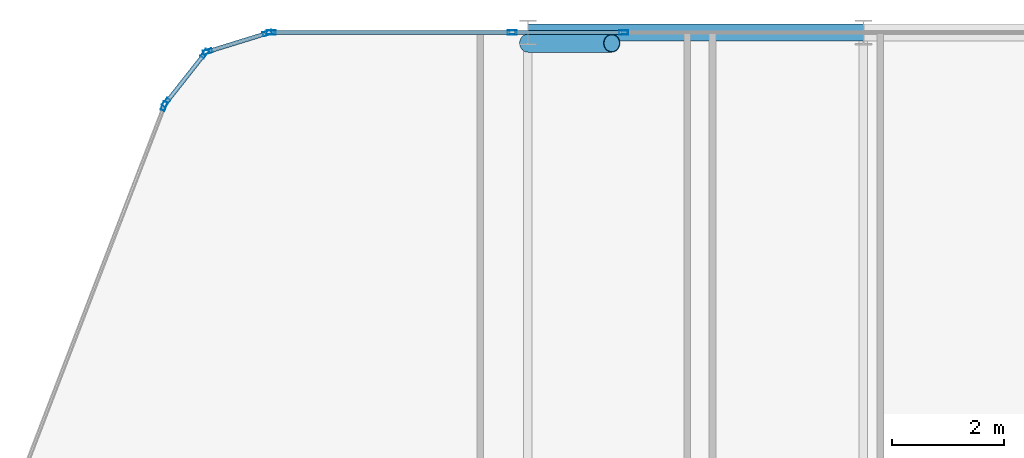
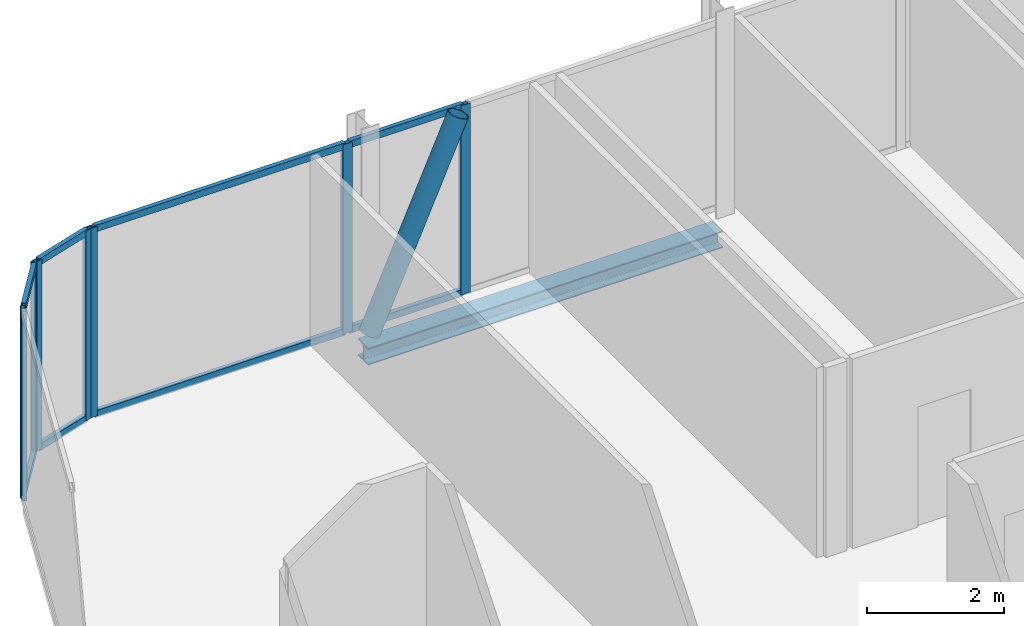
# One storey, part 18 of 29: 17 members, 1 beam, 5 elements without a shape of their own.
"""IFC4 building model written with IfcOpenShell, lengths in metres."""

from ifc_helpers import new_model, si_unit, direction, frame, origin, origin_2d, place, context, subcontext, project, spatial, hollow_rectangle, hollow_circle, i_section, extrude, material, layer, layer_set, material_profile, profile_set, type_object, element, aggregate, save


model = new_model("IFC4")

# Units and contexts
model_context = context("Model", 3, precision=1e-05, world=origin(), true_north=direction((0.0, 1.0)))
body_context = subcontext(model_context, "Body", "Model", "MODEL_VIEW")
ifc_project = project(units=[si_unit("LENGTHUNIT", "METRE"), si_unit("AREAUNIT", "SQUARE_METRE"), si_unit("VOLUMEUNIT", "CUBIC_METRE"), si_unit("PLANEANGLEUNIT", "RADIAN"), si_unit("MASSUNIT", "GRAM", prefix="KILO")], contexts=[model_context])

# Site, building, storey
site_placement = place(None, origin())
site = spatial("IfcSite", under=ifc_project, at=site_placement, CompositionType="ELEMENT")
building_placement = place(site_placement, origin())
building = spatial("IfcBuilding", under=site, at=building_placement, Name="Keshet Zoharim Tower", CompositionType="ELEMENT")
storey_placement = place(building_placement, frame((0.0, 0.0, 199.5)))
storey = spatial("IfcBuildingStorey", under=building, at=storey_placement, Name="L49", CompositionType="ELEMENT", Elevation=199.5)

# Beam
ifc_material_1 = material(Name="Steel S355", Category="steel")
ifc_material_profile_1 = material_profile(ifc_material_1, i_section(OverallWidth=0.300048828125, OverallDepth=0.300048828125, WebThickness=0.010986328125, FlangeThickness=0.01904296875, FilletRadius=0.027099609375, at=origin_2d()), Name="HEB300")
ifc_profile_set_1 = profile_set([ifc_material_profile_1], Name="Steel S355")
beam_type = type_object("IfcBeamType", Name="BM-PRI-HB300", PredefinedType="BEAM", material=ifc_profile_set_1)
beam_placement = place(storey_placement, frame((21.0, 53.89990234375, -0.4599609375), z_axis=(1.0, 0.0, 0.0), x_axis=(0.0, 1.0, 0.0)))
element("IfcBeam", 1, at=beam_placement, inside=storey, type_object=beam_type, Name="L49 Primary Girder X-019", PredefinedType="BEAM", context=body_context, shape_type="SweptSolid", body=[
    extrude(i_section(OverallWidth=0.300048828125, OverallDepth=0.300048828125, WebThickness=0.010986328125, FlangeThickness=0.01904296875, FilletRadius=0.027099609375, at=origin_2d()), origin(), (0.0, 0.0, 1.0), 6.0),
])

# Curtain wall, member
ifc_material_2 = material(Name="Aluminium 6063-T6", Category="aluminium")
ifc_layer = layer(ifc_material_2, 0.139892578125)
ifc_layer_set = layer_set([ifc_layer], Name="Aluminium 6063-T6")
curtain_wall_type = type_object("IfcCurtainWallType", Name="CW-SYS-05", PredefinedType="NOTDEFINED", material=ifc_layer_set)
curtain_wall_1_placement = place(storey_placement, origin())
curtain_wall_1 = element("IfcCurtainWall", 2, at=curtain_wall_1_placement, inside=storey, type_object=curtain_wall_type, Name="L49 Unitised Curtain Wall 13", PredefinedType="NOTDEFINED")
ifc_material_profile_2 = material_profile(ifc_material_2, hollow_rectangle(XDim=0.074951171875, YDim=0.159912109375, WallThickness=0.00390625, at=origin_2d()), Name="MUL-75x160")
ifc_profile_set_2 = profile_set([ifc_material_profile_2], Name="Aluminium 6063-T6")
member_type_1 = type_object("IfcMemberType", Name="CWM-M15", PredefinedType="MULLION", material=ifc_profile_set_2)
member_1_placement = place(storey_placement, frame((14.494384765625, 52.58544921875, 0.0), z_axis=(0.0, 0.0, 1.0), x_axis=(-0.933341404361, 0.358990003907, 0.0)))
member_1 = element("IfcMember", 3, at=member_1_placement, type_object=member_type_1, Name="CW-05 mullion 4", PredefinedType="MULLION", context=body_context, shape_type="SweptSolid", body=[
    extrude(hollow_rectangle(XDim=0.074951171875, YDim=0.159912109375, WallThickness=0.00390625, at=origin_2d()), origin(), (0.0, 0.0, 1.0), 3.389892578125),
])
aggregate(curtain_wall_1, [member_1])

# Curtain wall, members
curtain_wall_2_placement = place(storey_placement, origin())
curtain_wall_2 = element("IfcCurtainWall", 4, at=curtain_wall_2_placement, inside=storey, type_object=curtain_wall_type, Name="L49 Unitised Curtain Wall 14", PredefinedType="NOTDEFINED")
member_2_placement = place(storey_placement, frame((14.528564453125, 52.6455078125, 0.0), z_axis=(0.0, 0.0, 1.0), x_axis=(-0.785292825205, 0.619124525989, 0.0)))
member_2 = element("IfcMember", 5, at=member_2_placement, type_object=member_type_1, Name="CW-05 mullion 1", PredefinedType="MULLION", context=body_context, shape_type="SweptSolid", body=[
    extrude(hollow_rectangle(XDim=0.074951171875, YDim=0.159912109375, WallThickness=0.00390625, at=origin_2d()), origin(), (0.0, 0.0, 1.0), 3.389892578125),
])
member_3_placement = place(storey_placement, frame((15.21923828125, 53.521484375, 0.0), z_axis=(0.0, 0.0, 1.0), x_axis=(-0.785292825205, 0.619124525989, 0.0)))
member_3 = element("IfcMember", 6, at=member_3_placement, type_object=member_type_1, Name="CW-05 mullion 2", PredefinedType="MULLION", context=body_context, shape_type="SweptSolid", body=[
    extrude(hollow_rectangle(XDim=0.074951171875, YDim=0.159912109375, WallThickness=0.00390625, at=origin_2d()), origin(), (0.0, 0.0, 1.0), 3.389892578125),
])

curtain_wall_3_placement = place(storey_placement, origin())
curtain_wall_3 = element("IfcCurtainWall", 7, at=curtain_wall_3_placement, inside=storey, type_object=curtain_wall_type, Name="L49 Unitised Curtain Wall 15", PredefinedType="NOTDEFINED")
member_4_placement = place(storey_placement, frame((15.2744140625, 53.559326171875, 0.0), z_axis=(0.0, 0.0, 1.0), x_axis=(-0.295921857984, 0.955212151288, 0.0)))
member_4 = element("IfcMember", 8, at=member_4_placement, type_object=member_type_1, Name="CW-05 mullion 1", PredefinedType="MULLION", context=body_context, shape_type="SweptSolid", body=[
    extrude(hollow_rectangle(XDim=0.074951171875, YDim=0.159912109375, WallThickness=0.00390625, at=origin_2d()), origin(), (0.0, 0.0, 1.0), 3.389892578125),
])
member_5_placement = place(storey_placement, frame((16.340576171875, 53.8896484375, 0.0), z_axis=(0.0, 0.0, 1.0), x_axis=(-0.295921857984, 0.955212151288, 0.0)))
member_5 = element("IfcMember", 9, at=member_5_placement, type_object=member_type_1, Name="CW-05 mullion 2", PredefinedType="MULLION", context=body_context, shape_type="SweptSolid", body=[
    extrude(hollow_rectangle(XDim=0.074951171875, YDim=0.159912109375, WallThickness=0.00390625, at=origin_2d()), origin(), (0.0, 0.0, 1.0), 3.389892578125),
])

curtain_wall_4_placement = place(storey_placement, origin())
curtain_wall_4 = element("IfcCurtainWall", 10, at=curtain_wall_4_placement, inside=storey, type_object=curtain_wall_type, Name="L49 Unitised Curtain Wall 16", PredefinedType="NOTDEFINED")
member_6_placement = place(storey_placement, frame((16.408935546875, 53.89990234375, 0.0), z_axis=(0.0, 0.0, 1.0), x_axis=(0.0, 1.0, 0.0)))
member_6 = element("IfcMember", 11, at=member_6_placement, type_object=member_type_1, Name="CW-05 mullion 1", PredefinedType="MULLION", context=body_context, shape_type="SweptSolid", body=[
    extrude(hollow_rectangle(XDim=0.074951171875, YDim=0.159912109375, WallThickness=0.00390625, at=origin_2d()), origin(), (0.0, 0.0, 1.0), 3.389892578125),
])
member_7_placement = place(storey_placement, frame((20.716796875, 53.89990234375, 0.0), z_axis=(0.0, 0.0, 1.0), x_axis=(0.0, 1.0, 0.0)))
member_7 = element("IfcMember", 12, at=member_7_placement, type_object=member_type_1, Name="CW-05 mullion 2", PredefinedType="MULLION", context=body_context, shape_type="SweptSolid", body=[
    extrude(hollow_rectangle(XDim=0.074951171875, YDim=0.159912109375, WallThickness=0.00390625, at=origin_2d()), origin(), (0.0, 0.0, 1.0), 3.389892578125),
])

# Curtain wall, member
curtain_wall_5_placement = place(storey_placement, origin())
curtain_wall_5 = element("IfcCurtainWall", 13, at=curtain_wall_5_placement, inside=storey, type_object=curtain_wall_type, Name="L49 Unitised Curtain Wall 16 Part 2", PredefinedType="NOTDEFINED")
member_8_placement = place(storey_placement, frame((22.713134765625, 53.89990234375, 0.0), z_axis=(0.0, 0.0, 1.0), x_axis=(0.0, 1.0, 0.0)))
member_8 = element("IfcMember", 14, at=member_8_placement, type_object=member_type_1, Name="CW-05 mullion 2", PredefinedType="MULLION", context=body_context, shape_type="SweptSolid", body=[
    extrude(hollow_rectangle(XDim=0.074951171875, YDim=0.159912109375, WallThickness=0.00390625, at=origin_2d()), origin(), (0.0, 0.0, 1.0), 3.389892578125),
])

# Member
ifc_material_profile_3 = material_profile(ifc_material_2, hollow_rectangle(XDim=0.074951171875, YDim=0.1201171875, WallThickness=0.00390625, at=origin_2d()), Name="TRN-75x120")
ifc_profile_set_3 = profile_set([ifc_material_profile_3], Name="Aluminium 6063-T6")
member_type_2 = type_object("IfcMemberType", Name="CWT-T12", PredefinedType="USERDEFINED", material=ifc_profile_set_3)
member_9_placement = place(storey_placement, frame((14.55029296875, 52.6728515625, 0.034912109375), z_axis=(0.619099165969, 0.78531281837, 0.0), x_axis=(-0.78531281837, 0.619099165969, 0.0)))
member_9 = element("IfcMember", 15, at=member_9_placement, type_object=member_type_2, Name="CW-05 transom 1.1", ObjectType="TRANSOM", PredefinedType="USERDEFINED", context=body_context, shape_type="SweptSolid", body=[
    extrude(hollow_rectangle(XDim=0.074951171875, YDim=0.1201171875, WallThickness=0.00390625, at=origin_2d()), origin(), (0.0, 0.0, 1.0), 1.0458984375),
])

member_10_placement = place(storey_placement, frame((14.55029296875, 52.6728515625, 3.35498046875), z_axis=(0.619099165969, 0.78531281837, 0.0), x_axis=(-0.78531281837, 0.619099165969, 0.0)))
member_10 = element("IfcMember", 16, at=member_10_placement, type_object=member_type_2, Name="CW-05 transom 1.2", ObjectType="TRANSOM", PredefinedType="USERDEFINED", context=body_context, shape_type="SweptSolid", body=[
    extrude(hollow_rectangle(XDim=0.074951171875, YDim=0.1201171875, WallThickness=0.00390625, at=origin_2d()), origin(), (0.0, 0.0, 1.0), 1.0458984375),
])

aggregate(curtain_wall_2, [member_2, member_3, member_9, member_10])

member_11_placement = place(storey_placement, frame((15.307861328125, 53.56982421875, 0.034912109375), z_axis=(0.955212093062, 0.295922045933, 0.0), x_axis=(-0.295922045933, 0.955212093062, 0.0)))
member_11 = element("IfcMember", 17, at=member_11_placement, type_object=member_type_2, Name="CW-05 transom 1.1", ObjectType="TRANSOM", PredefinedType="USERDEFINED", context=body_context, shape_type="SweptSolid", body=[
    extrude(hollow_rectangle(XDim=0.074951171875, YDim=0.1201171875, WallThickness=0.00390625, at=origin_2d()), origin(), (0.0, 0.0, 1.0), 1.046142578125),
])

member_12_placement = place(storey_placement, frame((15.307861328125, 53.56982421875, 3.35498046875), z_axis=(0.955212093062, 0.295922045933, 0.0), x_axis=(-0.295922045933, 0.955212093062, 0.0)))
member_12 = element("IfcMember", 18, at=member_12_placement, type_object=member_type_2, Name="CW-05 transom 1.2", ObjectType="TRANSOM", PredefinedType="USERDEFINED", context=body_context, shape_type="SweptSolid", body=[
    extrude(hollow_rectangle(XDim=0.074951171875, YDim=0.1201171875, WallThickness=0.00390625, at=origin_2d()), origin(), (0.0, 0.0, 1.0), 1.046142578125),
])

aggregate(curtain_wall_3, [member_4, member_5, member_11, member_12])

member_13_placement = place(storey_placement, frame((16.444091796875, 53.89990234375, 0.034912109375), z_axis=(1.0, 0.0, 0.0), x_axis=(0.0, 1.0, 0.0)))
member_13 = element("IfcMember", 19, at=member_13_placement, type_object=member_type_2, Name="CW-05 transom 1.1", ObjectType="TRANSOM", PredefinedType="USERDEFINED", context=body_context, shape_type="SweptSolid", body=[
    extrude(hollow_rectangle(XDim=0.074951171875, YDim=0.1201171875, WallThickness=0.00390625, at=origin_2d()), origin(), (0.0, 0.0, 1.0), 4.23779296875),
])

member_14_placement = place(storey_placement, frame((16.444091796875, 53.89990234375, 3.35498046875), z_axis=(1.0, 0.0, 0.0), x_axis=(0.0, 1.0, 0.0)))
member_14 = element("IfcMember", 20, at=member_14_placement, type_object=member_type_2, Name="CW-05 transom 1.2", ObjectType="TRANSOM", PredefinedType="USERDEFINED", context=body_context, shape_type="SweptSolid", body=[
    extrude(hollow_rectangle(XDim=0.074951171875, YDim=0.1201171875, WallThickness=0.00390625, at=origin_2d()), origin(), (0.0, 0.0, 1.0), 4.23779296875),
])

aggregate(curtain_wall_4, [member_6, member_7, member_13, member_14])

member_15_placement = place(storey_placement, frame((20.751953125, 53.89990234375, 0.034912109375), z_axis=(1.0, 0.0, 0.0), x_axis=(0.0, 1.0, 0.0)))
member_15 = element("IfcMember", 21, at=member_15_placement, type_object=member_type_2, Name="CW-05 transom 1.1", ObjectType="TRANSOM", PredefinedType="USERDEFINED", context=body_context, shape_type="SweptSolid", body=[
    extrude(hollow_rectangle(XDim=0.074951171875, YDim=0.1201171875, WallThickness=0.00390625, at=origin_2d()), origin(), (0.0, 0.0, 1.0), 1.926025390625),
])

member_16_placement = place(storey_placement, frame((20.751953125, 53.89990234375, 3.35498046875), z_axis=(1.0, 0.0, 0.0), x_axis=(0.0, 1.0, 0.0)))
member_16 = element("IfcMember", 22, at=member_16_placement, type_object=member_type_2, Name="CW-05 transom 1.2", ObjectType="TRANSOM", PredefinedType="USERDEFINED", context=body_context, shape_type="SweptSolid", body=[
    extrude(hollow_rectangle(XDim=0.074951171875, YDim=0.1201171875, WallThickness=0.00390625, at=origin_2d()), origin(), (0.0, 0.0, 1.0), 1.926025390625),
])

aggregate(curtain_wall_5, [member_8, member_15, member_16])

ifc_material_profile_4 = material_profile(ifc_material_1, hollow_circle(Radius=0.161865234375, WallThickness=0.012451171875, at=origin_2d()), Name="CHS323x12.5")
ifc_profile_set_4 = profile_set([ifc_material_profile_4], Name="Steel S355")
member_type_3 = type_object("IfcMemberType", Name="MB-BR-C323", PredefinedType="BRACE", material=ifc_profile_set_4)
member_17_placement = place(storey_placement, frame((21.0, 53.7099609375, 0.0), z_axis=(0.40464689807, 0.0, 0.914473011019), x_axis=(0.0, 1.0, 0.0)))
element("IfcMember", 23, at=member_17_placement, inside=storey, type_object=member_type_3, Name="L49 Perimeter Tube Brace 02", PredefinedType="BRACE", context=body_context, shape_type="SweptSolid", body=[
    extrude(hollow_circle(Radius=0.161865234375, WallThickness=0.012451171875, at=origin_2d()), origin(), (0.0, 0.0, 1.0), 3.70703125),
])

save(model, "model.ifc")
